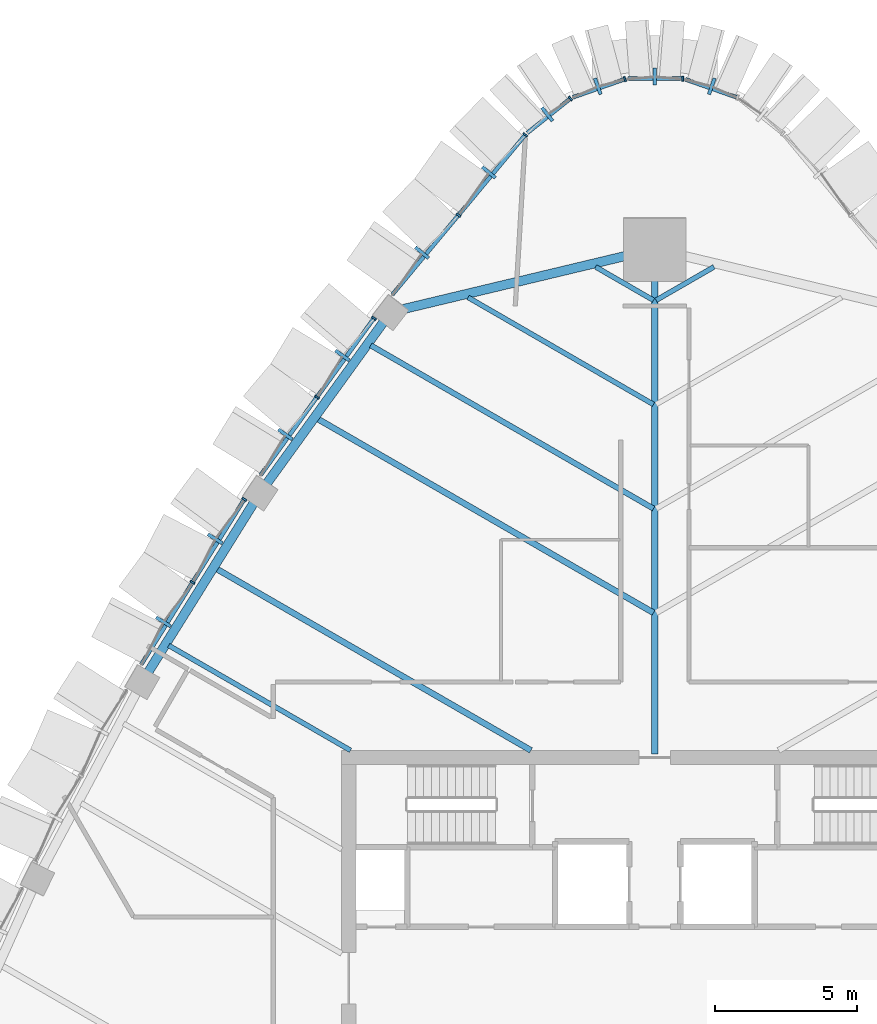
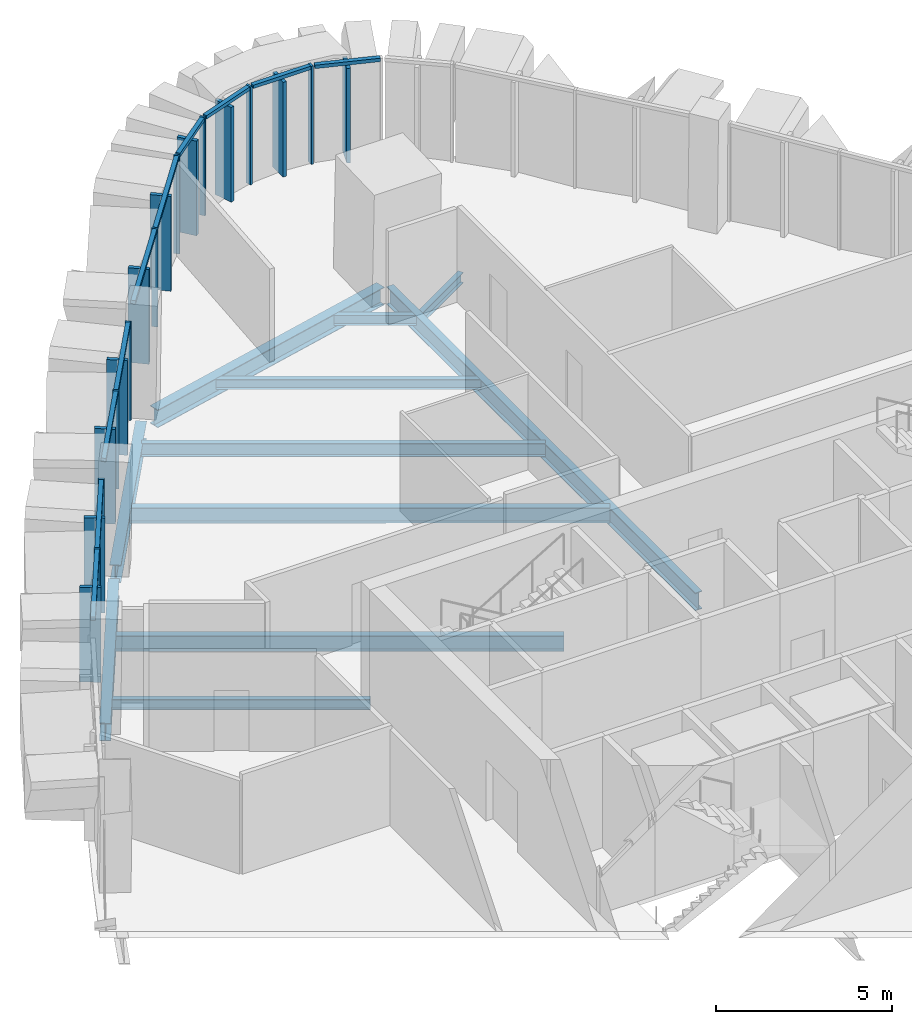
# One storey, part 6 of 19: 29 members, 11 beams, 7 elements without a shape of their own.
"""IFC4 building model written with IfcOpenShell, lengths in metres."""

from ifc_helpers import new_model, si_unit, direction, frame, origin, origin_2d, place, context, subcontext, project, spatial, rectangle, i_section, extrude, material, layer, layer_set, material_profile, profile_set, type_object, element, aggregate, save


model = new_model("IFC4")

# Units and contexts
model_context = context("Model", 3, precision=1e-05, world=origin(), true_north=direction((0.0, 1.0)))
body_context = subcontext(model_context, "Body", "Model", "MODEL_VIEW")
ifc_project = project(units=[si_unit("LENGTHUNIT", "METRE"), si_unit("AREAUNIT", "SQUARE_METRE"), si_unit("VOLUMEUNIT", "CUBIC_METRE"), si_unit("PLANEANGLEUNIT", "RADIAN"), si_unit("MASSUNIT", "GRAM", prefix="KILO")], contexts=[model_context])

# Site, building, storey
site_placement = place(None, origin())
site = spatial("IfcSite", under=ifc_project, at=site_placement, CompositionType="ELEMENT")
building_placement = place(site_placement, origin())
building = spatial("IfcBuilding", under=site, at=building_placement, Name="Sierra Prisma Convention Tower", CompositionType="ELEMENT")
storey_placement = place(building_placement, frame((0.0, 0.0, 235.0)))
storey = spatial("IfcBuildingStorey", under=building, at=storey_placement, Name="L52", CompositionType="ELEMENT", Elevation=235.0)

# Curtain wall, member
ifc_material_1 = material(Name="Aluminium and glass curtain wall", Category="aluminium")
ifc_layer = layer(ifc_material_1, 0.179931640625)
ifc_layer_set = layer_set([ifc_layer], Name="CW-2 Faceted crystal curtain wall")
curtain_wall_type = type_object("IfcCurtainWallType", Name="CW-2 Faceted crystal curtain wall", PredefinedType="NOTDEFINED", material=ifc_layer_set)
curtain_wall_1_placement = place(storey_placement, origin())
curtain_wall_1 = element("IfcCurtainWall", 1, at=curtain_wall_1_placement, inside=storey, type_object=curtain_wall_type, Name="CW-2 N2 L52", PredefinedType="NOTDEFINED")
ifc_material_2 = material(Name="Aluminium 6063-T6 bronze anodised", Category="aluminium")
ifc_material_profile_1 = material_profile(ifc_material_2, rectangle(XDim=0.1201171875, YDim=0.60009765625, at=origin_2d()), Name="ALU RIDGE BLADE 120x600")
ifc_profile_set_1 = profile_set([ifc_material_profile_1], Name="Aluminium 6063-T6 bronze anodised")
member_type_1 = type_object("IfcMemberType", Name="CW hip bronze", PredefinedType="MULLION", material=ifc_profile_set_1)
member_1_placement = place(storey_placement, frame((2.001708984375, 31.324462890625, 0.0), z_axis=(0.0, 0.0, 1.0), x_axis=(-0.943734753051, 0.330703365395, 0.0)))
member_1 = element("IfcMember", 2, at=member_1_placement, type_object=member_type_1, Name="CW-2 ridge N2.1", PredefinedType="MULLION", context=body_context, shape_type="SweptSolid", body=[
    extrude(rectangle(XDim=0.1201171875, YDim=0.60009765625, at=origin_2d()), origin(), (0.0, 0.0, 1.0), 3.280029296875),
])

curtain_wall_2_placement = place(storey_placement, origin())
curtain_wall_2 = element("IfcCurtainWall", 3, at=curtain_wall_2_placement, inside=storey, type_object=curtain_wall_type, Name="CW-2 N3 L52", PredefinedType="NOTDEFINED")
member_2_placement = place(storey_placement, frame((0.0, 31.6650390625, 0.0), z_axis=(0.0, 0.0, 1.0), x_axis=(-1.0, 0.0, 0.0)))
member_2 = element("IfcMember", 4, at=member_2_placement, type_object=member_type_1, Name="CW-2 ridge N3.1", PredefinedType="MULLION", context=body_context, shape_type="SweptSolid", body=[
    extrude(rectangle(XDim=0.1201171875, YDim=0.60009765625, at=origin_2d()), origin(), (0.0, 0.0, 1.0), 3.280029296875),
])

curtain_wall_3_placement = place(storey_placement, origin())
curtain_wall_3 = element("IfcCurtainWall", 5, at=curtain_wall_3_placement, inside=storey, type_object=curtain_wall_type, Name="CW-2 N4 L52", PredefinedType="NOTDEFINED")
member_3_placement = place(storey_placement, frame((-2.001708984375, 31.324462890625, 0.0), z_axis=(0.0, 0.0, 1.0), x_axis=(-0.943734753051, -0.330703365395, 0.0)))
member_3 = element("IfcMember", 6, at=member_3_placement, type_object=member_type_1, Name="CW-2 ridge N4.1", PredefinedType="MULLION", context=body_context, shape_type="SweptSolid", body=[
    extrude(rectangle(XDim=0.1201171875, YDim=0.60009765625, at=origin_2d()), origin(), (0.0, 0.0, 1.0), 3.280029296875),
])

curtain_wall_4_placement = place(storey_placement, origin())
curtain_wall_4 = element("IfcCurtainWall", 7, at=curtain_wall_4_placement, inside=storey, type_object=curtain_wall_type, Name="CW-2 N5 L52", PredefinedType="NOTDEFINED")
member_4_placement = place(storey_placement, frame((-3.778076171875, 30.341064453125, 0.0), z_axis=(0.0, 0.0, 1.0), x_axis=(-0.781270568223, -0.624192517761, 0.0)))
member_4 = element("IfcMember", 8, at=member_4_placement, type_object=member_type_1, Name="CW-2 ridge N5.1", PredefinedType="MULLION", context=body_context, shape_type="SweptSolid", body=[
    extrude(rectangle(XDim=0.1201171875, YDim=0.60009765625, at=origin_2d()), origin(), (0.0, 0.0, 1.0), 3.280029296875),
])

# Curtain wall, members
curtain_wall_5_placement = place(storey_placement, origin())
curtain_wall_5 = element("IfcCurtainWall", 9, at=curtain_wall_5_placement, inside=storey, type_object=curtain_wall_type, Name="CW-2 NW1 L52", PredefinedType="NOTDEFINED")
member_5_placement = place(storey_placement, frame((-5.8310546875, 28.3017578125, 0.0), z_axis=(0.0, 0.0, 1.0), x_axis=(-0.639677366154, -0.768643524158, 0.0)))
member_5 = element("IfcMember", 10, at=member_5_placement, type_object=member_type_1, Name="CW-2 ridge NW1.1", PredefinedType="MULLION", context=body_context, shape_type="SweptSolid", body=[
    extrude(rectangle(XDim=0.1201171875, YDim=0.60009765625, at=origin_2d()), origin(), (0.0, 0.0, 1.0), 3.280029296875),
])
member_6_placement = place(storey_placement, frame((-8.177734375, 25.481689453125, 0.0), z_axis=(0.0, 0.0, 1.0), x_axis=(-0.639677366154, -0.768643524158, 0.0)))
member_6 = element("IfcMember", 11, at=member_6_placement, type_object=member_type_1, Name="CW-2 ridge NW1.2", PredefinedType="MULLION", context=body_context, shape_type="SweptSolid", body=[
    extrude(rectangle(XDim=0.1201171875, YDim=0.60009765625, at=origin_2d()), origin(), (0.0, 0.0, 1.0), 3.280029296875),
])

curtain_wall_6_placement = place(storey_placement, origin())
curtain_wall_6 = element("IfcCurtainWall", 12, at=curtain_wall_6_placement, inside=storey, type_object=curtain_wall_type, Name="CW-2 NW2 L52", PredefinedType="NOTDEFINED")
member_7_placement = place(storey_placement, frame((-10.9716796875, 21.870361328125, 0.0), z_axis=(0.0, 0.0, 1.0), x_axis=(-0.585816025717, -0.810444065937, 0.0)))
member_7 = element("IfcMember", 13, at=member_7_placement, type_object=member_type_1, Name="CW-2 ridge NW2.1", PredefinedType="MULLION", context=body_context, shape_type="SweptSolid", body=[
    extrude(rectangle(XDim=0.1201171875, YDim=0.60009765625, at=origin_2d()), origin(), (0.0, 0.0, 1.0), 3.280029296875),
])
member_8_placement = place(storey_placement, frame((-12.97607421875, 19.09716796875, 0.0), z_axis=(0.0, 0.0, 1.0), x_axis=(-0.585816025717, -0.810444065937, 0.0)))
member_8 = element("IfcMember", 14, at=member_8_placement, type_object=member_type_1, Name="CW-2 ridge NW2.2", PredefinedType="MULLION", context=body_context, shape_type="SweptSolid", body=[
    extrude(rectangle(XDim=0.1201171875, YDim=0.60009765625, at=origin_2d()), origin(), (0.0, 0.0, 1.0), 3.280029296875),
])

curtain_wall_7_placement = place(storey_placement, origin())
curtain_wall_7 = element("IfcCurtainWall", 15, at=curtain_wall_7_placement, inside=storey, type_object=curtain_wall_type, Name="CW-2 NW3 L52", PredefinedType="NOTDEFINED")
member_9_placement = place(storey_placement, frame((-15.44091796875, 15.43017578125, 0.0), z_axis=(0.0, 0.0, 1.0), x_axis=(-0.529231619492, -0.848477396829, 0.0)))
member_9 = element("IfcMember", 16, at=member_9_placement, type_object=member_type_1, Name="CW-2 ridge NW3.1", PredefinedType="MULLION", context=body_context, shape_type="SweptSolid", body=[
    extrude(rectangle(XDim=0.1201171875, YDim=0.60009765625, at=origin_2d()), origin(), (0.0, 0.0, 1.0), 3.280029296875),
])
member_10_placement = place(storey_placement, frame((-17.260009765625, 12.513671875, 0.0), z_axis=(0.0, 0.0, 1.0), x_axis=(-0.529231619492, -0.848477396829, 0.0)))
member_10 = element("IfcMember", 17, at=member_10_placement, type_object=member_type_1, Name="CW-2 ridge NW3.2", PredefinedType="MULLION", context=body_context, shape_type="SweptSolid", body=[
    extrude(rectangle(XDim=0.1201171875, YDim=0.60009765625, at=origin_2d()), origin(), (0.0, 0.0, 1.0), 3.280029296875),
])

# Member
ifc_material_3 = material(Name="Aluminium 6063-T6 bronze anodised", Category="aluminium")
ifc_material_profile_2 = material_profile(ifc_material_3, rectangle(XDim=0.179931640625, YDim=0.070068359375, at=origin_2d()), Name="ALU MULLION 70x180")
ifc_profile_set_2 = profile_set([ifc_material_profile_2], Name="Aluminium 6063-T6 bronze anodised")
member_type_2 = type_object("IfcMemberType", Name="CW mullion bronze", PredefinedType="MULLION", material=ifc_profile_set_2)
member_11_placement = place(storey_placement, frame((0.982177734375, 31.590576171875, 0.0), z_axis=(0.0, 0.0, 1.0), x_axis=(0.0, -1.0, 0.0)))
member_11 = element("IfcMember", 18, at=member_11_placement, type_object=member_type_2, Name="CW-1 mullion N3.1", PredefinedType="MULLION", context=body_context, shape_type="SweptSolid", body=[
    extrude(rectangle(XDim=0.179931640625, YDim=0.070068359375, at=origin_2d()), origin(), (0.0, 0.0, 1.0), 3.39990234375),
])

member_12_placement = place(storey_placement, frame((-1.05029296875, 31.578857421875, 0.0), z_axis=(0.0, 0.0, 1.0), x_axis=(0.330703365395, -0.943734753051, 0.0)))
member_12 = element("IfcMember", 19, at=member_12_placement, type_object=member_type_2, Name="CW-1 mullion N4.1", PredefinedType="MULLION", context=body_context, shape_type="SweptSolid", body=[
    extrude(rectangle(XDim=0.179931640625, YDim=0.070068359375, at=origin_2d()), origin(), (0.0, 0.0, 1.0), 3.39990234375),
])

member_13_placement = place(storey_placement, frame((-2.96435546875, 30.89599609375, 0.0), z_axis=(0.0, 0.0, 1.0), x_axis=(0.624192517761, -0.781270568223, 0.0)))
member_13 = element("IfcMember", 20, at=member_13_placement, type_object=member_type_2, Name="CW-1 mullion N5.1", PredefinedType="MULLION", context=body_context, shape_type="SweptSolid", body=[
    extrude(rectangle(XDim=0.179931640625, YDim=0.070068359375, at=origin_2d()), origin(), (0.0, 0.0, 1.0), 3.39990234375),
])

member_14_placement = place(storey_placement, frame((-4.548828125, 29.62109375, 0.0), z_axis=(0.0, 0.0, 1.0), x_axis=(0.768643524158, -0.639677366154, 0.0)))
member_14 = element("IfcMember", 21, at=member_14_placement, type_object=member_type_2, Name="CW-1 mullion NW1.1", PredefinedType="MULLION", context=body_context, shape_type="SweptSolid", body=[
    extrude(rectangle(XDim=0.179931640625, YDim=0.070068359375, at=origin_2d()), origin(), (0.0, 0.0, 1.0), 3.39990234375),
])

member_15_placement = place(storey_placement, frame((-6.8955078125, 26.80126953125, 0.0), z_axis=(0.0, 0.0, 1.0), x_axis=(0.768643524158, -0.639677366154, 0.0)))
member_15 = element("IfcMember", 22, at=member_15_placement, type_object=member_type_2, Name="CW-1 mullion NW1.2", PredefinedType="MULLION", context=body_context, shape_type="SweptSolid", body=[
    extrude(rectangle(XDim=0.179931640625, YDim=0.070068359375, at=origin_2d()), origin(), (0.0, 0.0, 1.0), 3.39990234375),
])

member_16_placement = place(storey_placement, frame((-9.862548828125, 23.179443359375, 0.0), z_axis=(0.0, 0.0, 1.0), x_axis=(0.810444065937, -0.585816025717, 0.0)))
member_16 = element("IfcMember", 23, at=member_16_placement, type_object=member_type_2, Name="CW-1 mullion NW2.1", PredefinedType="MULLION", context=body_context, shape_type="SweptSolid", body=[
    extrude(rectangle(XDim=0.179931640625, YDim=0.070068359375, at=origin_2d()), origin(), (0.0, 0.0, 1.0), 3.39990234375),
])

member_17_placement = place(storey_placement, frame((-11.866943359375, 20.406494140625, 0.0), z_axis=(0.0, 0.0, 1.0), x_axis=(0.810444065937, -0.585816025717, 0.0)))
member_17 = element("IfcMember", 24, at=member_17_placement, type_object=member_type_2, Name="CW-1 mullion NW2.2", PredefinedType="MULLION", context=body_context, shape_type="SweptSolid", body=[
    extrude(rectangle(XDim=0.179931640625, YDim=0.070068359375, at=origin_2d()), origin(), (0.0, 0.0, 1.0), 3.39990234375),
])

member_18_placement = place(storey_placement, frame((-14.418701171875, 16.818603515625, 0.0), z_axis=(0.0, 0.0, 1.0), x_axis=(0.848477396829, -0.529231619492, 0.0)))
member_18 = element("IfcMember", 25, at=member_18_placement, type_object=member_type_2, Name="CW-1 mullion NW3.1", PredefinedType="MULLION", context=body_context, shape_type="SweptSolid", body=[
    extrude(rectangle(XDim=0.179931640625, YDim=0.070068359375, at=origin_2d()), origin(), (0.0, 0.0, 1.0), 3.39990234375),
])

member_19_placement = place(storey_placement, frame((-16.238037109375, 13.90185546875, 0.0), z_axis=(0.0, 0.0, 1.0), x_axis=(0.848477396829, -0.529231619492, 0.0)))
member_19 = element("IfcMember", 26, at=member_19_placement, type_object=member_type_2, Name="CW-1 mullion NW3.2", PredefinedType="MULLION", context=body_context, shape_type="SweptSolid", body=[
    extrude(rectangle(XDim=0.179931640625, YDim=0.070068359375, at=origin_2d()), origin(), (0.0, 0.0, 1.0), 3.39990234375),
])

ifc_material_4 = material(Name="Aluminium 6063-T6 bronze anodised", Category="aluminium")
ifc_material_profile_3 = material_profile(ifc_material_4, rectangle(XDim=0.139892578125, YDim=0.1201171875, at=origin_2d()), Name="ALU TRANSOM 120x140")
ifc_profile_set_3 = profile_set([ifc_material_profile_3], Name="Aluminium 6063-T6 bronze anodised")
member_type_3 = type_object("IfcMemberType", Name="CW transom bronze", PredefinedType="USERDEFINED", material=ifc_profile_set_3)
member_20_placement = place(storey_placement, frame((2.870849609375, 30.94091796875, 3.340087890625), z_axis=(-0.943725659498, 0.330729314705, 0.0), x_axis=(-0.330729314705, -0.943725659498, 0.0)))
member_20 = element("IfcMember", 27, at=member_20_placement, type_object=member_type_3, Name="CW-1 transom N2.1", ObjectType="TRANSOM", PredefinedType="USERDEFINED", context=body_context, shape_type="SweptSolid", body=[
    extrude(rectangle(XDim=0.139892578125, YDim=0.1201171875, at=origin_2d()), origin(), (0.0, 0.0, 1.0), 1.894287109375),
])

aggregate(curtain_wall_1, [member_20, member_1])

member_21_placement = place(storey_placement, frame((0.947265625, 31.590576171875, 3.340087890625), z_axis=(-1.0, 0.0, 0.0), x_axis=(0.0, -1.0, 0.0)))
member_21 = element("IfcMember", 28, at=member_21_placement, type_object=member_type_3, Name="CW-1 transom N3.1", ObjectType="TRANSOM", PredefinedType="USERDEFINED", context=body_context, shape_type="SweptSolid", body=[
    extrude(rectangle(XDim=0.139892578125, YDim=0.1201171875, at=origin_2d()), origin(), (0.0, 0.0, 1.0), 1.89453125),
])

aggregate(curtain_wall_2, [member_11, member_21, member_2])

member_22_placement = place(storey_placement, frame((-1.083251953125, 31.5673828125, 3.340087890625), z_axis=(-0.943725659498, -0.330729314705, 0.0), x_axis=(0.330729314705, -0.943725659498, 0.0)))
member_22 = element("IfcMember", 29, at=member_22_placement, type_object=member_type_3, Name="CW-1 transom N4.1", ObjectType="TRANSOM", PredefinedType="USERDEFINED", context=body_context, shape_type="SweptSolid", body=[
    extrude(rectangle(XDim=0.139892578125, YDim=0.1201171875, at=origin_2d()), origin(), (0.0, 0.0, 1.0), 1.894287109375),
])

aggregate(curtain_wall_3, [member_12, member_22, member_3])

member_23_placement = place(storey_placement, frame((-2.99169921875, 30.8740234375, 3.340087890625), z_axis=(-0.78128357483, -0.624176237694, 0.0), x_axis=(0.624176237694, -0.78128357483, 0.0)))
member_23 = element("IfcMember", 30, at=member_23_placement, type_object=member_type_3, Name="CW-1 transom N5.1", ObjectType="TRANSOM", PredefinedType="USERDEFINED", context=body_context, shape_type="SweptSolid", body=[
    extrude(rectangle(XDim=0.139892578125, YDim=0.1201171875, at=origin_2d()), origin(), (0.0, 0.0, 1.0), 1.894287109375),
])

aggregate(curtain_wall_4, [member_13, member_23, member_4])

member_24_placement = place(storey_placement, frame((-4.571044921875, 29.59423828125, 3.340087890625), z_axis=(-0.639677117458, -0.768643731127, 0.0), x_axis=(0.768643731127, -0.639677117458, 0.0)))
member_24 = element("IfcMember", 31, at=member_24_placement, type_object=member_type_3, Name="CW-1 transom NW1.1", ObjectType="TRANSOM", PredefinedType="USERDEFINED", context=body_context, shape_type="SweptSolid", body=[
    extrude(rectangle(XDim=0.139892578125, YDim=0.1201171875, at=origin_2d()), origin(), (0.0, 0.0, 1.0), 3.5986328125),
])

member_25_placement = place(storey_placement, frame((-6.91796875, 26.774169921875, 3.340087890625), z_axis=(-0.639677117458, -0.768643731127, 0.0), x_axis=(0.768643731127, -0.639677117458, 0.0)))
member_25 = element("IfcMember", 32, at=member_25_placement, type_object=member_type_3, Name="CW-1 transom NW1.2", ObjectType="TRANSOM", PredefinedType="USERDEFINED", context=body_context, shape_type="SweptSolid", body=[
    extrude(rectangle(XDim=0.139892578125, YDim=0.1201171875, at=origin_2d()), origin(), (0.0, 0.0, 1.0), 3.5986328125),
])

aggregate(curtain_wall_5, [member_14, member_15, member_24, member_5, member_25, member_6])

member_26_placement = place(storey_placement, frame((-9.883056640625, 23.151123046875, 3.340087890625), z_axis=(-0.585804341167, -0.810452511792, 0.0), x_axis=(0.810452511792, -0.585804341167, 0.0)))
member_26 = element("IfcMember", 33, at=member_26_placement, type_object=member_type_3, Name="CW-1 transom NW2.1", ObjectType="TRANSOM", PredefinedType="USERDEFINED", context=body_context, shape_type="SweptSolid", body=[
    extrude(rectangle(XDim=0.139892578125, YDim=0.1201171875, at=origin_2d()), origin(), (0.0, 0.0, 1.0), 3.3515625),
])

member_27_placement = place(storey_placement, frame((-11.887451171875, 20.378173828125, 3.340087890625), z_axis=(-0.585804341167, -0.810452511792, 0.0), x_axis=(0.810452511792, -0.585804341167, 0.0)))
member_27 = element("IfcMember", 34, at=member_27_placement, type_object=member_type_3, Name="CW-1 transom NW2.2", ObjectType="TRANSOM", PredefinedType="USERDEFINED", context=body_context, shape_type="SweptSolid", body=[
    extrude(rectangle(XDim=0.139892578125, YDim=0.1201171875, at=origin_2d()), origin(), (0.0, 0.0, 1.0), 3.3515625),
])

aggregate(curtain_wall_6, [member_16, member_17, member_26, member_7, member_27, member_8])

member_28_placement = place(storey_placement, frame((-14.437255859375, 16.788818359375, 3.340087890625), z_axis=(-0.529216741334, -0.848486676791, 0.0), x_axis=(0.848486676791, -0.529216741334, 0.0)))
member_28 = element("IfcMember", 35, at=member_28_placement, type_object=member_type_3, Name="CW-1 transom NW3.1", ObjectType="TRANSOM", PredefinedType="USERDEFINED", context=body_context, shape_type="SweptSolid", body=[
    extrude(rectangle(XDim=0.139892578125, YDim=0.1201171875, at=origin_2d()), origin(), (0.0, 0.0, 1.0), 3.36767578125),
])

member_29_placement = place(storey_placement, frame((-16.256591796875, 13.8720703125, 3.340087890625), z_axis=(-0.529249295819, -0.848466371092, 0.0), x_axis=(0.848466371092, -0.529249295819, 0.0)))
member_29 = element("IfcMember", 36, at=member_29_placement, type_object=member_type_3, Name="CW-1 transom NW3.2", ObjectType="TRANSOM", PredefinedType="USERDEFINED", context=body_context, shape_type="SweptSolid", body=[
    extrude(rectangle(XDim=0.139892578125, YDim=0.1201171875, at=origin_2d()), origin(), (0.0, 0.0, 1.0), 3.367431640625),
])

aggregate(curtain_wall_7, [member_18, member_19, member_28, member_9, member_29, member_10])

# Beams
ifc_material_5 = material(Name="Steel ASTM A992 Gr 50", Category="steel")
ifc_material_profile_4 = material_profile(ifc_material_5, i_section(OverallWidth=0.172119140625, OverallDepth=0.35791015625, WebThickness=0.0078125, FlangeThickness=0.01318359375, at=origin_2d()), Name="W360x57")
ifc_profile_set_4 = profile_set([ifc_material_profile_4], Name="Steel ASTM A992 Gr 50")
beam_type_1 = type_object("IfcBeamType", Name="Floor joist W360x57", PredefinedType="JOIST", material=ifc_profile_set_4)
for number, where, z_axis, x_axis, name in (
    (37, (2.079345703125, 24.983154296875, -0.3291015625), (-0.866059188337, -0.499941478872, 0.0), (0.499941478872, -0.866059188337, 0.0), "Floor joist L52 NE14"),
    (38, (-2.079345703125, 24.983154296875, -0.3291015625), (0.866059188337, -0.499941478872, 0.0), (0.499941478872, 0.866059188337, 0.0), "Floor joist L52 NW01"),
):
    element("IfcBeam", number, at=place(storey_placement, frame(where, z_axis=z_axis, x_axis=x_axis)), inside=storey, type_object=beam_type_1, Name=name, PredefinedType="JOIST", context=body_context, shape_type="SweptSolid", body=[
        extrude(i_section(OverallWidth=0.172119140625, OverallDepth=0.35791015625, WebThickness=0.0078125, FlangeThickness=0.01318359375, at=origin_2d()), origin(), (0.0, 0.0, 1.0), 2.347900390625),
    ])
beam_1_placement = place(storey_placement, frame((-6.560546875, 23.91162109375, -0.3291015625), z_axis=(0.866025608725, -0.499999645032, 0.0), x_axis=(0.499999645032, 0.866025608725, 0.0)))
element("IfcBeam", 39, at=beam_1_placement, inside=storey, type_object=beam_type_1, Name="Floor joist L52 NW02", PredefinedType="JOIST", context=body_context, shape_type="SweptSolid", body=[
    extrude(i_section(OverallWidth=0.172119140625, OverallDepth=0.35791015625, WebThickness=0.0078125, FlangeThickness=0.01318359375, at=origin_2d()), origin(), (0.0, 0.0, 1.0), 7.5224609375),
])
beam_2_placement = place(storey_placement, frame((-17.074462890625, 11.687255859375, -0.3291015625), z_axis=(0.866032328097, -0.499988006546, 0.0), x_axis=(0.499988006546, 0.866032328097, 0.0)))
element("IfcBeam", 40, at=beam_2_placement, inside=storey, type_object=beam_type_1, Name="Floor joist L52 NW07", PredefinedType="JOIST", context=body_context, shape_type="SweptSolid", body=[
    extrude(i_section(OverallWidth=0.172119140625, OverallDepth=0.35791015625, WebThickness=0.0078125, FlangeThickness=0.01318359375, at=origin_2d()), origin(), (0.0, 0.0, 1.0), 7.374755859375),
])
ifc_material_6 = material(Name="Steel ASTM A992 Gr 50", Category="steel")
ifc_material_profile_5 = material_profile(ifc_material_6, i_section(OverallWidth=0.18994140625, OverallDepth=0.45703125, WebThickness=0.009033203125, FlangeThickness=0.014404296875, at=origin_2d()), Name="W460x74")
ifc_profile_set_5 = profile_set([ifc_material_profile_5], Name="Steel ASTM A992 Gr 50")
beam_type_2 = type_object("IfcBeamType", Name="Floor joist W460x74", PredefinedType="JOIST", material=ifc_profile_set_5)
beam_3_placement = place(storey_placement, frame((-9.980224609375, 22.22705078125, -0.37841796875), z_axis=(0.866025033342, -0.500000641624, 0.0), x_axis=(0.500000641624, 0.866025033342, 0.0)))
element("IfcBeam", 41, at=beam_3_placement, inside=storey, type_object=beam_type_2, Name="Floor joist L52 NW03", PredefinedType="JOIST", context=body_context, shape_type="SweptSolid", body=[
    extrude(i_section(OverallWidth=0.18994140625, OverallDepth=0.45703125, WebThickness=0.009033203125, FlangeThickness=0.014404296875, at=origin_2d()), origin(), (0.0, 0.0, 1.0), 11.47119140625),
])
ifc_material_7 = material(Name="Steel ASTM A992 Gr 50", Category="steel")
ifc_material_profile_6 = material_profile(ifc_material_7, i_section(OverallWidth=0.208984375, OverallDepth=0.532958984375, WebThickness=0.01025390625, FlangeThickness=0.015625, at=origin_2d()), Name="W530x92")
ifc_profile_set_6 = profile_set([ifc_material_profile_6], Name="Steel ASTM A992 Gr 50")
beam_type_3 = type_object("IfcBeamType", Name="Floor joist W530x92", PredefinedType="JOIST", material=ifc_profile_set_6)
beam_4_placement = place(storey_placement, frame((-11.846435546875, 19.6455078125, -0.41650390625), z_axis=(0.866034909742, -0.499983534837, 0.0), x_axis=(0.499983534837, 0.866034909742, 0.0)))
element("IfcBeam", 42, at=beam_4_placement, inside=storey, type_object=beam_type_3, Name="Floor joist L52 NW04", PredefinedType="JOIST", context=body_context, shape_type="SweptSolid", body=[
    extrude(i_section(OverallWidth=0.208984375, OverallDepth=0.532958984375, WebThickness=0.01025390625, FlangeThickness=0.015625, at=origin_2d()), origin(), (0.0, 0.0, 1.0), 13.6259765625),
])
beam_5_placement = place(storey_placement, frame((-15.396484375, 14.37744140625, -0.41650390625), z_axis=(0.866027168587, -0.49999694326, 0.0), x_axis=(0.49999694326, 0.866027168587, 0.0)))
element("IfcBeam", 43, at=beam_5_placement, inside=storey, type_object=beam_type_3, Name="Floor joist L52 NW06", PredefinedType="JOIST", context=body_context, shape_type="SweptSolid", body=[
    extrude(i_section(OverallWidth=0.208984375, OverallDepth=0.532958984375, WebThickness=0.01025390625, FlangeThickness=0.015625, at=origin_2d()), origin(), (0.0, 0.0, 1.0), 12.7548828125),
])
ifc_material_8 = material(Name="Steel ASTM A992 Gr 50", Category="steel")
ifc_material_profile_7 = material_profile(ifc_material_8, i_section(OverallWidth=0.22998046875, OverallDepth=0.616943359375, WebThickness=0.01318359375, FlangeThickness=0.022216796875, at=origin_2d()), Name="W610x140")
ifc_profile_set_7 = profile_set([ifc_material_profile_7], Name="Steel ASTM A992 Gr 50")
beam_type_4 = type_object("IfcBeamType", Name="Radial girder W610x140", PredefinedType="BEAM", material=ifc_profile_set_7)
beam_6_placement = place(storey_placement, frame((0.0, 25.39208984375, -0.45849609375), z_axis=(0.0, -1.0, 0.0), x_axis=(1.0, 0.0, 0.0)))
element("IfcBeam", 44, at=beam_6_placement, inside=storey, type_object=beam_type_4, Name="Radial girder L52 N", PredefinedType="BEAM", context=body_context, shape_type="SweptSolid", body=[
    extrude(i_section(OverallWidth=0.22998046875, OverallDepth=0.616943359375, WebThickness=0.01318359375, FlangeThickness=0.022216796875, at=origin_2d()), origin(), (0.0, 0.0, 1.0), 17.51220703125),
])
ifc_material_9 = material(Name="Steel ASTM A992 Gr 50", Category="steel")
ifc_material_profile_8 = material_profile(ifc_material_9, i_section(OverallWidth=0.324951171875, OverallDepth=0.615966796875, WebThickness=0.013916015625, FlangeThickness=0.021484375, at=origin_2d()), Name="W610x174")
ifc_profile_set_8 = profile_set([ifc_material_profile_8], Name="Steel ASTM A992 Gr 50")
beam_type_5 = type_object("IfcBeamType", Name="Spandrel beam W610x174", PredefinedType="BEAM", material=ifc_profile_set_8)
beam_7_placement = place(storey_placement, frame((-0.219970703125, 25.5595703125, -0.4580078125), z_axis=(-0.972577942558, -0.232577182136, 0.0), x_axis=(0.232577182136, -0.972577942558, 0.0)))
element("IfcBeam", 45, at=beam_7_placement, inside=storey, type_object=beam_type_5, Name="Spandrel L52-13", PredefinedType="BEAM", context=body_context, shape_type="SweptSolid", body=[
    extrude(i_section(OverallWidth=0.324951171875, OverallDepth=0.615966796875, WebThickness=0.013916015625, FlangeThickness=0.021484375, at=origin_2d()), origin(), (0.0, 0.0, 1.0), 8.8544921875),
])
for number, where, z_axis, x_axis, name in (
    (46, (-9.469482421875, 23.126220703125, -0.4580078125), (-0.585813599971, -0.810445819342, 0.0), (0.810445819342, -0.585813599971, 0.0), "Spandrel L52-14"),
    (47, (-14.039794921875, 16.764892578125, -0.4580078125), (-0.529249191137, -0.84846643639, 0.0), (0.84846643639, -0.529249191137, 0.0), "Spandrel L52-15"),
):
    element("IfcBeam", number, at=place(storey_placement, frame(where, z_axis=z_axis, x_axis=x_axis)), inside=storey, type_object=beam_type_5, Name=name, PredefinedType="BEAM", context=body_context, shape_type="SweptSolid", body=[
        extrude(i_section(OverallWidth=0.324951171875, OverallDepth=0.615966796875, WebThickness=0.013916015625, FlangeThickness=0.021484375, at=origin_2d()), origin(), (0.0, 0.0, 1.0), 7.173095703125),
    ])

save(model, "model.ifc")
